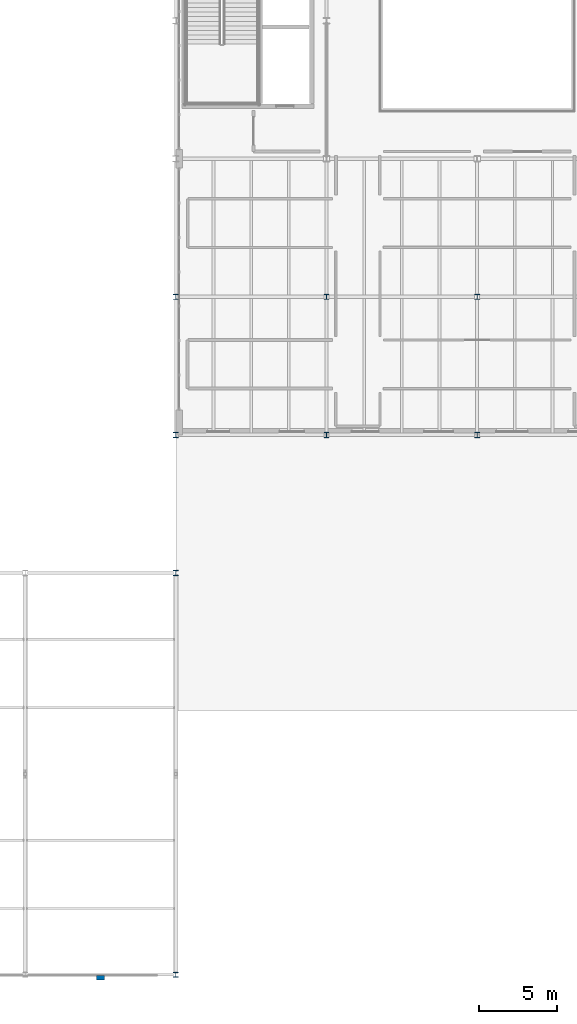
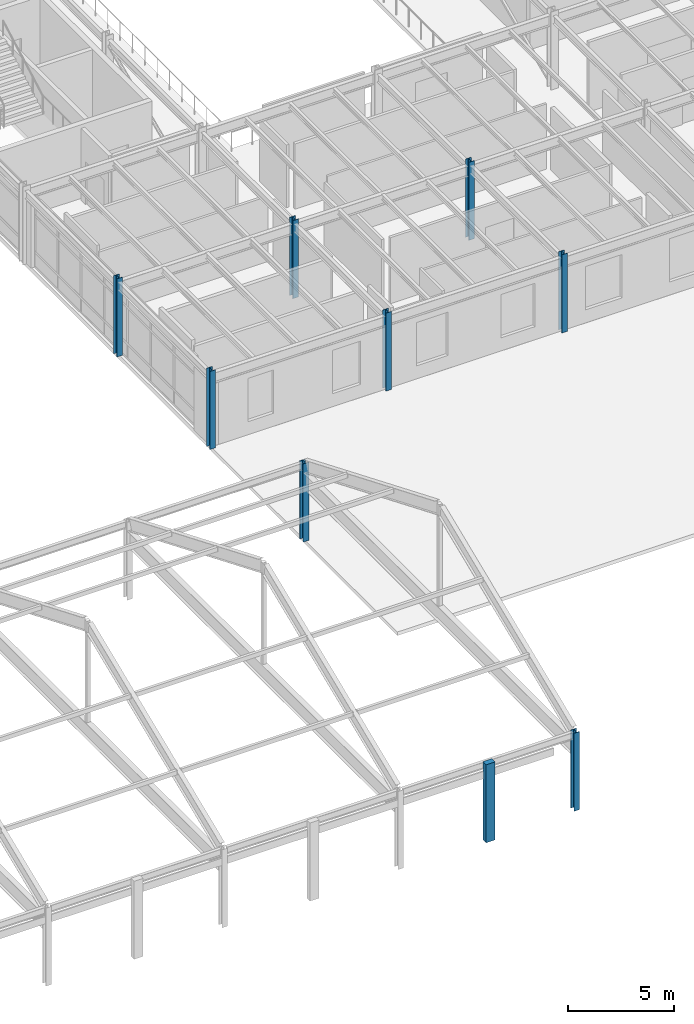
# One storey, part 3 of 88: 9 columns.
"""IFC4 building model written with IfcOpenShell, lengths in metres."""

from ifc_helpers import new_model, si_unit, direction, frame, origin, origin_2d, place, context, subcontext, project, spatial, rectangle, i_section, extrude, material, material_profile, profile_set, type_object, element, save


model = new_model("IFC4")

# Units and contexts
model_context = context("Model", 3, precision=1e-05, world=origin(), true_north=direction((0.0, 1.0)))
body_context = subcontext(model_context, "Body", "Model", "MODEL_VIEW")
ifc_project = project(units=[si_unit("LENGTHUNIT", "METRE"), si_unit("AREAUNIT", "SQUARE_METRE"), si_unit("VOLUMEUNIT", "CUBIC_METRE"), si_unit("PLANEANGLEUNIT", "RADIAN"), si_unit("MASSUNIT", "GRAM", prefix="KILO")], contexts=[model_context])

# Site, building, storey
site_placement = place(None, origin())
site = spatial("IfcSite", under=ifc_project, at=site_placement, CompositionType="ELEMENT")
building_placement = place(site_placement, origin())
building = spatial("IfcBuilding", under=site, at=building_placement, Name="Sarnbrook Museum", CompositionType="ELEMENT")
storey_placement = place(building_placement, frame((0.0, 0.0, 10.10009765625)))
storey = spatial("IfcBuildingStorey", under=building, at=storey_placement, Name="L02", CompositionType="ELEMENT", Elevation=10.10009765625)

# Columns
ifc_material_1 = material(Name="Structural Steel Grade 300PLUS (AS/NZS 3679.1, fy = 280 MPa for 17 < t <= 40 mm, 300 MPa for t <= 17 mm)", Category="steel")
ifc_material_profile_1 = material_profile(ifc_material_1, i_section(OverallWidth=0.31103515625, OverallDepth=0.326904296875, WebThickness=0.015625, FlangeThickness=0.02490234375, FilletRadius=0.0166015625, at=origin_2d()), Name="310UC158")
ifc_profile_set_1 = profile_set([ifc_material_profile_1], Name="Structural Steel Grade 300PLUS (AS/NZS 3679.1, fy = 280 MPa for 17 < t <= 40 mm, 300 MPa for t <= 17 mm)")
column_type_1 = type_object("IfcColumnType", Name="COL-UC310H", PredefinedType="COLUMN", material=ifc_profile_set_1)
for number, where, z_axis, x_axis, name in (
    (1, (90.39990234375, 39.199951171875, 0.0), (0.0, 0.0, 1.0), (1.0, 0.0, 0.0), "Column 10-E L02"),
    (2, (90.39990234375, 48.0, 0.0), (0.0, 0.0, 1.0), (1.0, 0.0, 0.0), "Column 10-F L02"),
    (3, (100.0, 39.199951171875, 0.0), (0.0, 0.0, 1.0), (1.0, 0.0, 0.0), "Column 11-E L02"),
    (4, (100.0, 48.0, 0.0), (0.0, 0.0, 1.0), (1.0, 0.0, 0.0), "Column 11-F L02"),
    (5, (80.800048828125, 4.800048828125, 0.0), (0.0, 0.0, 1.0), (1.0, 0.0, 0.0), "Column 9-A L02"),
    (6, (80.800048828125, 30.39990234375, 0.0), (0.0, 0.0, 1.0), (1.0, 0.0, 0.0), "Column 9-D L02"),
    (7, (80.800048828125, 39.199951171875, 0.0), (0.0, 0.0, 1.0), (1.0, 0.0, 0.0), "Column 9-E L02"),
    (8, (80.800048828125, 48.0, 0.0), (0.0, 0.0, 1.0), (1.0, 0.0, 0.0), "Column 9-F L02"),
):
    element("IfcColumn", number, at=place(storey_placement, frame(where, z_axis=z_axis, x_axis=x_axis)), inside=storey, type_object=column_type_1, Name=name, PredefinedType="COLUMN", context=body_context, shape_type="SweptSolid", body=[
        extrude(i_section(OverallWidth=0.31103515625, OverallDepth=0.326904296875, WebThickness=0.015625, FlangeThickness=0.02490234375, FilletRadius=0.0166015625, at=origin_2d()), origin(), (0.0, 0.0, 1.0), 4.5),
    ])
ifc_material_2 = material(Name="Concrete N40 (AS 3600, f'c = 40 MPa)", Category="concrete")
ifc_material_profile_2 = material_profile(ifc_material_2, rectangle(XDim=0.5, YDim=0.300048828125, at=origin_2d()), Name="PILASTER 500x300")
ifc_profile_set_2 = profile_set([ifc_material_profile_2], Name="Concrete N40 (AS 3600, f'c = 40 MPa)")
column_type_2 = type_object("IfcColumnType", Name="PIL-500x300", PredefinedType="PILASTER", material=ifc_profile_set_2)
column_placement = place(storey_placement, frame((76.0, 4.6201171875, 0.0), z_axis=(0.0, 0.0, 1.0), x_axis=(1.0, 0.0, 0.0)))
element("IfcColumn", 9, at=column_placement, inside=storey, type_object=column_type_2, Name="Sandstone Classical Pilaster P-S4 L02", PredefinedType="PILASTER", context=body_context, shape_type="SweptSolid", body=[
    extrude(rectangle(XDim=0.5, YDim=0.300048828125, at=origin_2d()), origin(), (0.0, 0.0, 1.0), 4.5),
])

save(model, "model.ifc")
